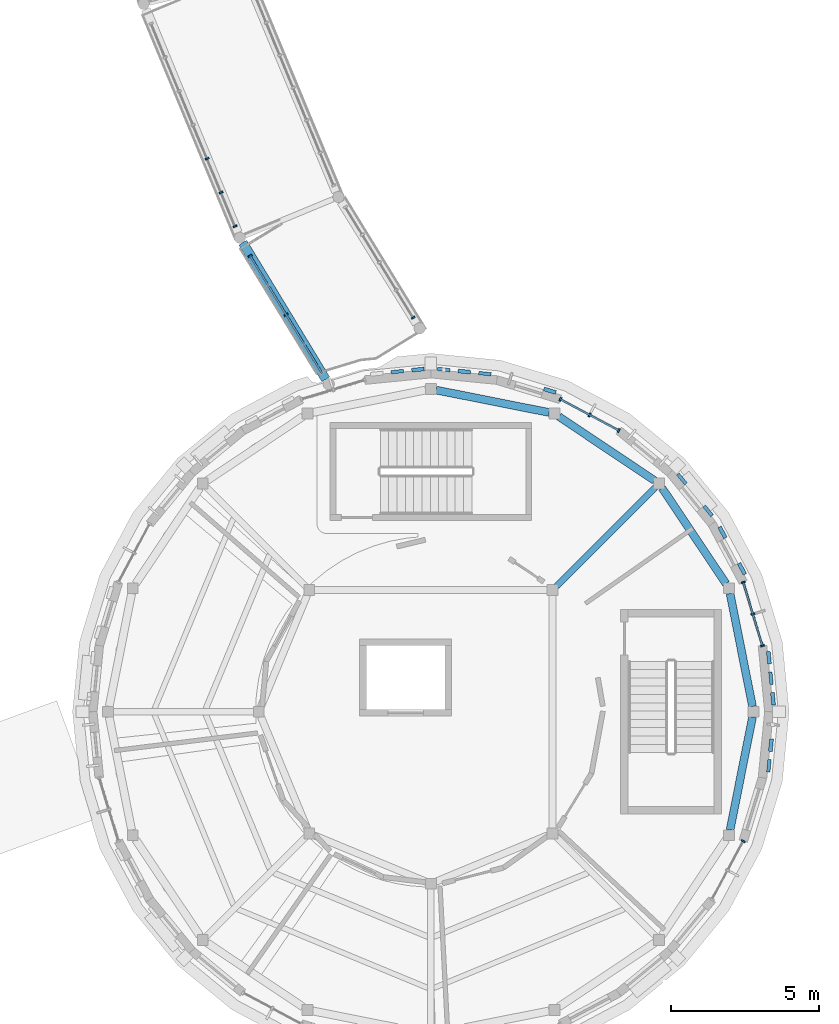
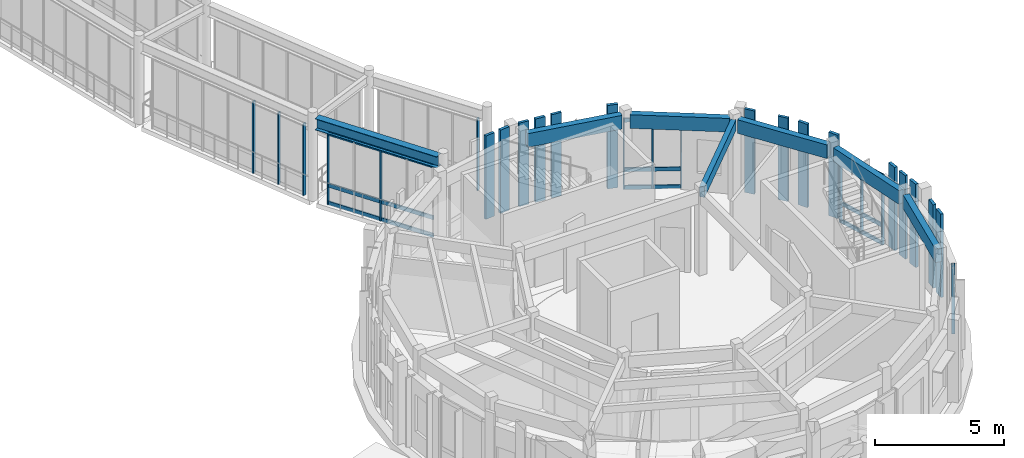
# One storey, part 24 of 80: 37 members, 7 beams, 6 elements without a shape of their own.
"""IFC4 building model written with IfcOpenShell, lengths in metres."""

from ifc_helpers import new_model, si_unit, direction, frame, origin, origin_2d, place, context, subcontext, project, spatial, rectangle, i_section, extrude, material, layer, layer_set, material_profile, profile_set, type_object, element, aggregate, save


model = new_model("IFC4")

# Units and contexts
model_context = context("Model", 3, precision=1e-05, world=origin(), true_north=direction((0.0, 1.0)))
body_context = subcontext(model_context, "Body", "Model", "MODEL_VIEW")
ifc_project = project(units=[si_unit("LENGTHUNIT", "METRE"), si_unit("AREAUNIT", "SQUARE_METRE"), si_unit("VOLUMEUNIT", "CUBIC_METRE"), si_unit("PLANEANGLEUNIT", "RADIAN"), si_unit("MASSUNIT", "GRAM", prefix="KILO")], contexts=[model_context])

# Site, building, storey
site_placement = place(None, origin())
site = spatial("IfcSite", under=ifc_project, at=site_placement, CompositionType="ELEMENT")
building_placement = place(site_placement, origin())
building = spatial("IfcBuilding", under=site, at=building_placement, Name="Aldenvaro Health Centre", CompositionType="ELEMENT")
storey_placement = place(building_placement, frame((0.0, 0.0, 4.550048828125)))
storey = spatial("IfcBuildingStorey", under=building, at=storey_placement, Name="L01", CompositionType="ELEMENT", Elevation=4.550048828125)

# Beams
ifc_material_1 = material(Name="Glulam GL28h", Category="wood")
ifc_material_profile_1 = material_profile(ifc_material_1, rectangle(XDim=0.215087890625, YDim=0.493896484375, at=origin_2d()), Name="GL 215x494", Category="wood")
ifc_profile_set_1 = profile_set([ifc_material_profile_1], Name="Glulam GL28h")
beam_type_1 = type_object("IfcBeamType", Name="BM-GL-494", PredefinedType="BEAM", material=ifc_profile_set_1)
beam_1_placement = place(storey_placement, frame((158.72998046875, 22.72998046875, 3.7080078125), z_axis=(0.707106781187, 0.707106781187, 0.0), x_axis=(-0.707106781187, 0.707106781187, 0.0)))
element("IfcBeam", 1, at=beam_1_placement, inside=storey, type_object=beam_type_1, Name="D6 L01 radial beam 01", PredefinedType="BEAM", context=body_context, shape_type="SweptSolid", body=[
    extrude(rectangle(XDim=0.215087890625, YDim=0.493896484375, at=origin_2d()), origin(), (0.0, 0.0, 1.0), 4.715087890625),
])
ifc_material_profile_2 = material_profile(ifc_material_1, rectangle(XDim=0.264892578125, YDim=0.64599609375, at=origin_2d()), Name="GL 265x646", Category="wood")
ifc_profile_set_2 = profile_set([ifc_material_profile_2], Name="Glulam GL28h")
beam_type_2 = type_object("IfcBeamType", Name="BM-GL-646", PredefinedType="SPANDREL", material=ifc_profile_set_2)
beam_2_placement = place(storey_placement, frame((165.343994140625, 18.678955078125, 3.6318359375), z_axis=(-0.19484558566, 0.98083392975, 0.0), x_axis=(-0.98083392975, -0.19484558566, 0.0)))
element("IfcBeam", 2, at=beam_2_placement, inside=storey, type_object=beam_type_2, Name="D6 L01 perimeter spandrel 01", PredefinedType="SPANDREL", context=body_context, shape_type="SweptSolid", body=[
    extrude(rectangle(XDim=0.264892578125, YDim=0.64599609375, at=origin_2d()), origin(), (0.0, 0.0, 1.0), 3.880615234375),
])
for number, where, z_axis, x_axis, name in (
    (3, (164.450927734375, 22.81591796875, 3.6318359375), (-0.55593386509, 0.831226526072, 0.0), (-0.831226526072, -0.55593386509, 0.0), "D6 L01 perimeter spandrel 02"),
    (4, (162.041015625, 26.2939453125, 3.6318359375), (-0.831226526072, 0.55593386509, 0.0), (-0.55593386509, -0.831226526072, 0.0), "D6 L01 perimeter spandrel 03"),
):
    element("IfcBeam", number, at=place(storey_placement, frame(where, z_axis=z_axis, x_axis=x_axis)), inside=storey, type_object=beam_type_2, Name=name, PredefinedType="SPANDREL", context=body_context, shape_type="SweptSolid", body=[
        extrude(rectangle(XDim=0.264892578125, YDim=0.64599609375, at=origin_2d()), origin(), (0.0, 0.0, 1.0), 3.8798828125),
    ])
for number, where, z_axis, x_axis, name in (
    (5, (158.485107421875, 28.587890625, 3.6318359375), (-0.98083392975, 0.19484558566, 0.0), (-0.19484558566, -0.98083392975, 0.0), "D6 L01 perimeter spandrel 04"),
    (6, (164.587890625, 14.514892578125, 3.6318359375), (0.19484558566, 0.98083392975, 0.0), (-0.98083392975, 0.19484558566, 0.0), "D6 L01 perimeter spandrel 16"),
):
    element("IfcBeam", number, at=place(storey_placement, frame(where, z_axis=z_axis, x_axis=x_axis)), inside=storey, type_object=beam_type_2, Name=name, PredefinedType="SPANDREL", context=body_context, shape_type="SweptSolid", body=[
        extrude(rectangle(XDim=0.264892578125, YDim=0.64599609375, at=origin_2d()), origin(), (0.0, 0.0, 1.0), 3.880615234375),
    ])
ifc_material_2 = material(Name="Steel ASTM A992 Grade 50", Category="steel")
ifc_material_profile_3 = material_profile(ifc_material_2, i_section(OverallWidth=0.31201171875, OverallDepth=0.54296875, WebThickness=0.0126953125, FlangeThickness=0.020263671875, at=origin_2d()), Name="W21X101", Category="steel")
ifc_profile_set_3 = profile_set([ifc_material_profile_3], Name="Steel ASTM A992 Grade 50")
beam_type_3 = type_object("IfcBeamType", Name="BM-ST-W21E", PredefinedType="BEAM", material=ifc_profile_set_3)
beam_3_placement = place(storey_placement, frame((148.157958984375, 34.31396484375, 3.678955078125), z_axis=(0.519169550557, -0.854671268836, 0.0), x_axis=(0.854671268836, 0.519169550557, 0.0)))
element("IfcBeam", 7, at=beam_3_placement, inside=storey, type_object=beam_type_3, Name="East Curved Garden Colonnade Arc 8 L01 girder R-1", PredefinedType="BEAM", context=body_context, shape_type="SweptSolid", body=[
    extrude(i_section(OverallWidth=0.31201171875, OverallDepth=0.54296875, WebThickness=0.0126953125, FlangeThickness=0.020263671875, at=origin_2d()), origin(), (0.0, 0.0, 1.0), 5.391357421875),
])

# Curtain wall, member
ifc_material_3 = material(Name="Anodised Aluminium 6063-T6", Category="aluminium")
ifc_layer_1 = layer(ifc_material_3, 0.195068359375, Name="Anodised Aluminium 6063-T6", Category="aluminium")
ifc_layer_set_1 = layer_set([ifc_layer_1], Name="Anodised Aluminium 6063-T6")
curtain_wall_type_1 = type_object("IfcCurtainWallType", Name="CW-CLN-02", PredefinedType="NOTDEFINED", material=ifc_layer_set_1)
curtain_wall_1_placement = place(storey_placement, origin())
curtain_wall_1 = element("IfcCurtainWall", 8, at=curtain_wall_1_placement, inside=storey, type_object=curtain_wall_type_1, Name="D6 L01 curtain wall bay 03", PredefinedType="NOTDEFINED")
ifc_material_profile_4 = material_profile(ifc_material_3, rectangle(XDim=0.06005859375, YDim=0.135009765625, at=origin_2d()), Name="ALU 60x135", Category="aluminium")
ifc_profile_set_4 = profile_set([ifc_material_profile_4], Name="Anodised Aluminium 6063-T6")
member_type_1 = type_object("IfcMemberType", Name="CWM-150", PredefinedType="MULLION", material=ifc_profile_set_4)
member_1_placement = place(storey_placement, frame((165.031982421875, 14.136962890625, 0.0), z_axis=(0.0, 0.0, 1.0), x_axis=(-0.471215232797, -0.882018256263, 0.0)))
member_1 = element("IfcMember", 9, at=member_1_placement, type_object=member_type_1, Name="D6 L01 curtain wall bay 03 mullion 1", PredefinedType="MULLION", context=body_context, shape_type="SweptSolid", body=[
    extrude(rectangle(XDim=0.06005859375, YDim=0.135009765625, at=origin_2d()), origin(), (0.0, 0.0, 1.0), 3.308837890625),
])
aggregate(curtain_wall_1, [member_1])

# Curtain wall, members
curtain_wall_2_placement = place(storey_placement, origin())
curtain_wall_2 = element("IfcCurtainWall", 10, at=curtain_wall_2_placement, inside=storey, type_object=curtain_wall_type_1, Name="D6 L01 curtain wall bay 27", PredefinedType="NOTDEFINED")
member_2_placement = place(storey_placement, frame((158.863037109375, 29.031982421875, 0.0), z_axis=(0.0, 0.0, 1.0), x_axis=(0.882018256263, -0.471215232797, 0.0)))
member_2 = element("IfcMember", 11, at=member_2_placement, type_object=member_type_1, Name="D6 L01 curtain wall bay 27 mullion 1", PredefinedType="MULLION", context=body_context, shape_type="SweptSolid", body=[
    extrude(rectangle(XDim=0.06005859375, YDim=0.135009765625, at=origin_2d()), origin(), (0.0, 0.0, 1.0), 3.308837890625),
])
member_3_placement = place(storey_placement, frame((159.84912109375, 28.5048828125, 0.0), z_axis=(0.0, 0.0, 1.0), x_axis=(0.882018256263, -0.471215232797, 0.0)))
member_3 = element("IfcMember", 12, at=member_3_placement, type_object=member_type_1, Name="D6 L01 curtain wall bay 27 mullion 2", PredefinedType="MULLION", context=body_context, shape_type="SweptSolid", body=[
    extrude(rectangle(XDim=0.06005859375, YDim=0.135009765625, at=origin_2d()), origin(), (0.0, 0.0, 1.0), 3.308837890625),
])
member_4_placement = place(storey_placement, frame((160.833984375, 27.97900390625, 0.0), z_axis=(0.0, 0.0, 1.0), x_axis=(0.882018256263, -0.471215232797, 0.0)))
member_4 = element("IfcMember", 13, at=member_4_placement, type_object=member_type_1, Name="D6 L01 curtain wall bay 27 mullion 3", PredefinedType="MULLION", context=body_context, shape_type="SweptSolid", body=[
    extrude(rectangle(XDim=0.06005859375, YDim=0.135009765625, at=origin_2d()), origin(), (0.0, 0.0, 1.0), 3.308837890625),
])

curtain_wall_3_placement = place(storey_placement, origin())
curtain_wall_3 = element("IfcCurtainWall", 14, at=curtain_wall_3_placement, inside=storey, type_object=curtain_wall_type_1, Name="D6 L01 curtain wall bay 31", PredefinedType="NOTDEFINED")
member_5_placement = place(storey_placement, frame((165.031982421875, 22.863037109375, 0.0), z_axis=(0.0, 0.0, 1.0), x_axis=(0.290342622208, -0.956922756407, 0.0)))
member_5 = element("IfcMember", 15, at=member_5_placement, type_object=member_type_1, Name="D6 L01 curtain wall bay 31 mullion 1", PredefinedType="MULLION", context=body_context, shape_type="SweptSolid", body=[
    extrude(rectangle(XDim=0.06005859375, YDim=0.135009765625, at=origin_2d()), origin(), (0.0, 0.0, 1.0), 3.308837890625),
])
member_6_placement = place(storey_placement, frame((165.35693359375, 21.7939453125, 0.0), z_axis=(0.0, 0.0, 1.0), x_axis=(0.290342622208, -0.956922756407, 0.0)))
member_6 = element("IfcMember", 16, at=member_6_placement, type_object=member_type_1, Name="D6 L01 curtain wall bay 31 mullion 2", PredefinedType="MULLION", context=body_context, shape_type="SweptSolid", body=[
    extrude(rectangle(XDim=0.06005859375, YDim=0.135009765625, at=origin_2d()), origin(), (0.0, 0.0, 1.0), 3.308837890625),
])
member_7_placement = place(storey_placement, frame((165.680908203125, 20.72412109375, 0.0), z_axis=(0.0, 0.0, 1.0), x_axis=(0.290342622208, -0.956922756407, 0.0)))
member_7 = element("IfcMember", 17, at=member_7_placement, type_object=member_type_1, Name="D6 L01 curtain wall bay 31 mullion 3", PredefinedType="MULLION", context=body_context, shape_type="SweptSolid", body=[
    extrude(rectangle(XDim=0.06005859375, YDim=0.135009765625, at=origin_2d()), origin(), (0.0, 0.0, 1.0), 3.308837890625),
])

ifc_layer_2 = layer(ifc_material_3, 0.2099609375, Name="Anodised Aluminium 6063-T6", Category="aluminium")
ifc_layer_set_2 = layer_set([ifc_layer_2], Name="Anodised Aluminium 6063-T6")
curtain_wall_type_2 = type_object("IfcCurtainWallType", Name="CW-BRG-03", PredefinedType="NOTDEFINED", material=ifc_layer_set_2)
curtain_wall_4_placement = place(storey_placement, origin())
curtain_wall_4 = element("IfcCurtainWall", 18, at=curtain_wall_4_placement, inside=storey, type_object=curtain_wall_type_2, Name="East Curved Garden Colonnade Arc 7 L01 glazed link wall R-1.1", PredefinedType="NOTDEFINED")
member_8_placement = place(storey_placement, frame((146.955078125, 37.14306640625, 0.0), z_axis=(0.0, 0.0, 1.0), x_axis=(0.382503002228, -0.923954248481, 0.0)))
member_8 = element("IfcMember", 19, at=member_8_placement, type_object=member_type_1, Name="East Curved Garden Colonnade Arc 7 L01 glazed link wall R-1.1 mullion 5", PredefinedType="MULLION", context=body_context, shape_type="SweptSolid", body=[
    extrude(rectangle(XDim=0.06005859375, YDim=0.135009765625, at=origin_2d()), origin(), (0.0, 0.0, 1.0), 3.409912109375),
])
member_9_placement = place(storey_placement, frame((147.426025390625, 36.0029296875, 0.0), z_axis=(0.0, 0.0, 1.0), x_axis=(0.382503002228, -0.923954248481, 0.0)))
member_9 = element("IfcMember", 20, at=member_9_placement, type_object=member_type_1, Name="East Curved Garden Colonnade Arc 7 L01 glazed link wall R-1.1 mullion 6", PredefinedType="MULLION", context=body_context, shape_type="SweptSolid", body=[
    extrude(rectangle(XDim=0.06005859375, YDim=0.135009765625, at=origin_2d()), origin(), (0.0, 0.0, 1.0), 3.409912109375),
])
member_10_placement = place(storey_placement, frame((147.89794921875, 34.864013671875, 0.0), z_axis=(0.0, 0.0, 1.0), x_axis=(0.382503002228, -0.923954248481, 0.0)))
member_10 = element("IfcMember", 21, at=member_10_placement, type_object=member_type_1, Name="East Curved Garden Colonnade Arc 7 L01 glazed link wall R-1.1 mullion 7", PredefinedType="MULLION", context=body_context, shape_type="SweptSolid", body=[
    extrude(rectangle(XDim=0.06005859375, YDim=0.135009765625, at=origin_2d()), origin(), (0.0, 0.0, 1.0), 3.409912109375),
])
aggregate(curtain_wall_4, [member_8, member_9, member_10])

# Curtain wall, member
curtain_wall_5_placement = place(storey_placement, origin())
curtain_wall_5 = element("IfcCurtainWall", 22, at=curtain_wall_5_placement, inside=storey, type_object=curtain_wall_type_2, Name="East Curved Garden Colonnade Arc 8 L01 glazed link wall L-1.1", PredefinedType="NOTDEFINED")
member_11_placement = place(storey_placement, frame((153.906005859375, 31.783935546875, 0.0), z_axis=(0.0, 0.0, 1.0), x_axis=(0.522567413628, -0.852597969863, 0.0)))
member_11 = element("IfcMember", 23, at=member_11_placement, type_object=member_type_1, Name="East Curved Garden Colonnade Arc 8 L01 glazed link wall L-1.1 mullion 5", PredefinedType="MULLION", context=body_context, shape_type="SweptSolid", body=[
    extrude(rectangle(XDim=0.06005859375, YDim=0.135009765625, at=origin_2d()), origin(), (0.0, 0.0, 1.0), 3.409912109375),
])
aggregate(curtain_wall_5, [member_11])

# Curtain wall, members
curtain_wall_6_placement = place(storey_placement, origin())
curtain_wall_6 = element("IfcCurtainWall", 24, at=curtain_wall_6_placement, inside=storey, type_object=curtain_wall_type_2, Name="East Curved Garden Colonnade Arc 8 L01 glazed link wall R-1.1", PredefinedType="NOTDEFINED")
member_12_placement = place(storey_placement, frame((148.406982421875, 33.865966796875, 0.0), z_axis=(0.0, 0.0, 1.0), x_axis=(0.522476308425, -0.852653802627, 0.0)))
member_12 = element("IfcMember", 25, at=member_12_placement, type_object=member_type_1, Name="East Curved Garden Colonnade Arc 8 L01 glazed link wall R-1.1 mullion 1", PredefinedType="MULLION", context=body_context, shape_type="SweptSolid", body=[
    extrude(rectangle(XDim=0.06005859375, YDim=0.135009765625, at=origin_2d()), origin(), (0.0, 0.0, 1.0), 3.409912109375),
])
member_13_placement = place(storey_placement, frame((149.6220703125, 31.884033203125, 0.0), z_axis=(0.0, 0.0, 1.0), x_axis=(0.522476308425, -0.852653802627, 0.0)))
member_13 = element("IfcMember", 26, at=member_13_placement, type_object=member_type_1, Name="East Curved Garden Colonnade Arc 8 L01 glazed link wall R-1.1 mullion 3", PredefinedType="MULLION", context=body_context, shape_type="SweptSolid", body=[
    extrude(rectangle(XDim=0.06005859375, YDim=0.135009765625, at=origin_2d()), origin(), (0.0, 0.0, 1.0), 3.409912109375),
])

# Member
ifc_material_profile_5 = material_profile(ifc_material_3, rectangle(XDim=0.06494140625, YDim=0.179931640625, at=origin_2d()), Name="ALU 65x180", Category="aluminium")
ifc_profile_set_5 = profile_set([ifc_material_profile_5], Name="Anodised Aluminium 6063-T6")
member_type_2 = type_object("IfcMemberType", Name="CWT-150", PredefinedType="USERDEFINED", material=ifc_profile_set_5)
member_14_placement = place(storey_placement, frame((158.863037109375, 29.031982421875, 0.06005859375), z_axis=(0.882017012185, -0.471217561446, 0.0), x_axis=(0.471217561446, 0.882017012185, 0.0)))
member_14 = element("IfcMember", 27, at=member_14_placement, type_object=member_type_2, Name="D6 L01 curtain wall bay 27 transom 1", ObjectType="TRANSOM", PredefinedType="USERDEFINED", context=body_context, shape_type="SweptSolid", body=[
    extrude(rectangle(XDim=0.06494140625, YDim=0.179931640625, at=origin_2d()), origin(), (0.0, 0.0, 1.0), 2.234619140625),
])

member_15_placement = place(storey_placement, frame((158.863037109375, 29.031982421875, 0.89990234375), z_axis=(0.882017012185, -0.471217561446, 0.0), x_axis=(0.471217561446, 0.882017012185, 0.0)))
member_15 = element("IfcMember", 28, at=member_15_placement, type_object=member_type_2, Name="D6 L01 curtain wall bay 27 transom 2", ObjectType="TRANSOM", PredefinedType="USERDEFINED", context=body_context, shape_type="SweptSolid", body=[
    extrude(rectangle(XDim=0.06494140625, YDim=0.179931640625, at=origin_2d()), origin(), (0.0, 0.0, 1.0), 2.234619140625),
])

member_16_placement = place(storey_placement, frame((158.863037109375, 29.031982421875, 3.2490234375), z_axis=(0.882017012185, -0.471217561446, 0.0), x_axis=(0.471217561446, 0.882017012185, 0.0)))
member_16 = element("IfcMember", 29, at=member_16_placement, type_object=member_type_2, Name="D6 L01 curtain wall bay 27 transom 3", ObjectType="TRANSOM", PredefinedType="USERDEFINED", context=body_context, shape_type="SweptSolid", body=[
    extrude(rectangle(XDim=0.06494140625, YDim=0.179931640625, at=origin_2d()), origin(), (0.0, 0.0, 1.0), 2.234619140625),
])

aggregate(curtain_wall_2, [member_2, member_3, member_4, member_14, member_15, member_16])

member_17_placement = place(storey_placement, frame((165.031982421875, 22.863037109375, 0.06005859375), z_axis=(0.290322655883, -0.956928814218, 0.0), x_axis=(0.956928814218, 0.290322655883, 0.0)))
member_17 = element("IfcMember", 30, at=member_17_placement, type_object=member_type_2, Name="D6 L01 curtain wall bay 31 transom 1", ObjectType="TRANSOM", PredefinedType="USERDEFINED", context=body_context, shape_type="SweptSolid", body=[
    extrude(rectangle(XDim=0.06494140625, YDim=0.179931640625, at=origin_2d()), origin(), (0.0, 0.0, 1.0), 2.235107421875),
])

member_18_placement = place(storey_placement, frame((165.031982421875, 22.863037109375, 0.89990234375), z_axis=(0.290322655883, -0.956928814218, 0.0), x_axis=(0.956928814218, 0.290322655883, 0.0)))
member_18 = element("IfcMember", 31, at=member_18_placement, type_object=member_type_2, Name="D6 L01 curtain wall bay 31 transom 2", ObjectType="TRANSOM", PredefinedType="USERDEFINED", context=body_context, shape_type="SweptSolid", body=[
    extrude(rectangle(XDim=0.06494140625, YDim=0.179931640625, at=origin_2d()), origin(), (0.0, 0.0, 1.0), 2.235107421875),
])

member_19_placement = place(storey_placement, frame((165.031982421875, 22.863037109375, 3.2490234375), z_axis=(0.290322655883, -0.956928814218, 0.0), x_axis=(0.956928814218, 0.290322655883, 0.0)))
member_19 = element("IfcMember", 32, at=member_19_placement, type_object=member_type_2, Name="D6 L01 curtain wall bay 31 transom 3", ObjectType="TRANSOM", PredefinedType="USERDEFINED", context=body_context, shape_type="SweptSolid", body=[
    extrude(rectangle(XDim=0.06494140625, YDim=0.179931640625, at=origin_2d()), origin(), (0.0, 0.0, 1.0), 2.235107421875),
])

aggregate(curtain_wall_3, [member_5, member_6, member_7, member_17, member_18, member_19])

member_20_placement = place(storey_placement, frame((148.406982421875, 33.865966796875, 0.06005859375), z_axis=(0.522482010387, -0.852650308639, 0.0), x_axis=(0.852650308639, 0.522482010387, 0.0)))
member_20 = element("IfcMember", 33, at=member_20_placement, type_object=member_type_2, Name="East Curved Garden Colonnade Arc 8 L01 glazed link wall R-1.1 transom 1", ObjectType="TRANSOM", PredefinedType="USERDEFINED", context=body_context, shape_type="SweptSolid", body=[
    extrude(rectangle(XDim=0.06494140625, YDim=0.179931640625, at=origin_2d()), origin(), (0.0, 0.0, 1.0), 4.64892578125),
])

member_21_placement = place(storey_placement, frame((148.406982421875, 33.865966796875, 0.89990234375), z_axis=(0.522482010387, -0.852650308639, 0.0), x_axis=(0.852650308639, 0.522482010387, 0.0)))
member_21 = element("IfcMember", 34, at=member_21_placement, type_object=member_type_2, Name="East Curved Garden Colonnade Arc 8 L01 glazed link wall R-1.1 transom 2", ObjectType="TRANSOM", PredefinedType="USERDEFINED", context=body_context, shape_type="SweptSolid", body=[
    extrude(rectangle(XDim=0.06494140625, YDim=0.179931640625, at=origin_2d()), origin(), (0.0, 0.0, 1.0), 4.64892578125),
])

member_22_placement = place(storey_placement, frame((148.406982421875, 33.865966796875, 3.349853515625), z_axis=(0.522482010387, -0.852650308639, 0.0), x_axis=(0.852650308639, 0.522482010387, 0.0)))
member_22 = element("IfcMember", 35, at=member_22_placement, type_object=member_type_2, Name="East Curved Garden Colonnade Arc 8 L01 glazed link wall R-1.1 transom 3", ObjectType="TRANSOM", PredefinedType="USERDEFINED", context=body_context, shape_type="SweptSolid", body=[
    extrude(rectangle(XDim=0.06494140625, YDim=0.179931640625, at=origin_2d()), origin(), (0.0, 0.0, 1.0), 4.64892578125),
])

aggregate(curtain_wall_6, [member_12, member_13, member_20, member_21, member_22])

# Members
ifc_material_profile_6 = material_profile(ifc_material_1, rectangle(XDim=0.114990234375, YDim=0.419921875, at=origin_2d()), Name="GL 115x420", Category="wood")
ifc_profile_set_6 = profile_set([ifc_material_profile_6], Name="Glulam GL28h")
member_type_3 = type_object("IfcMemberType", Name="MEM-SLT-420A", PredefinedType="POST", material=ifc_profile_set_6)
for number, where, z_axis, x_axis, name in (
    (36, (165.89599609375, 16.677001953125, 0.0), (0.0, 0.0, 1.0), (0.995186685493, -0.097997250052, 0.0), "D6 L01 vertical timber slat 1.3"),
    (37, (153.37109375, 29.965087890625, 0.0), (0.0, 0.0, 1.0), (-0.097997250052, 0.995186685493, 0.0), "D6 L01 vertical timber slat 24.2"),
    (38, (154.93505859375, 30.032958984375, 0.0), (0.0, 0.0, 1.0), (0.097997250052, 0.995186685493, 0.0), "D6 L01 vertical timber slat 25.1"),
    (39, (156.322998046875, 29.89599609375, 0.0), (0.0, 0.0, 1.0), (0.097997250052, 0.995186685493, 0.0), "D6 L01 vertical timber slat 25.3"),
    (40, (162.962890625, 26.346923828125, 0.0), (0.0, 0.0, 1.0), (0.772859503767, 0.634577172169, 0.0), "D6 L01 vertical timber slat 29.1"),
    (41, (163.847900390625, 25.27001953125, 0.0), (0.0, 0.0, 1.0), (0.772859503767, 0.634577172169, 0.0), "D6 L01 vertical timber slat 29.3"),
    (42, (165.965087890625, 19.62890625, 0.0), (0.0, 0.0, 1.0), (0.995186685493, 0.097997250052, 0.0), "D6 L01 vertical timber slat 32.2"),
):
    element("IfcMember", number, at=place(storey_placement, frame(where, z_axis=z_axis, x_axis=x_axis)), inside=storey, type_object=member_type_3, Name=name, PredefinedType="POST", context=body_context, shape_type="SweptSolid", body=[
        extrude(rectangle(XDim=0.114990234375, YDim=0.419921875, at=origin_2d()), origin(), (0.0, 0.0, 1.0), 3.954833984375),
    ])
ifc_material_profile_7 = material_profile(ifc_material_1, rectangle(XDim=0.1298828125, YDim=0.419921875, at=origin_2d()), Name="GL 130x420", Category="wood")
ifc_profile_set_7 = profile_set([ifc_material_profile_7], Name="Glulam GL28h")
member_type_4 = type_object("IfcMemberType", Name="MEM-SLT-420B", PredefinedType="POST", material=ifc_profile_set_7)
for number, where, z_axis, x_axis, name in (
    (43, (165.965087890625, 17.37109375, 0.0), (0.0, 0.0, 1.0), (0.995186685493, -0.097997250052, 0.0), "D6 L01 vertical timber slat 1.2"),
    (44, (154.06494140625, 30.032958984375, 0.0), (0.0, 0.0, 1.0), (-0.097997250052, 0.995186685493, 0.0), "D6 L01 vertical timber slat 24.3"),
    (45, (155.62890625, 29.965087890625, 0.0), (0.0, 0.0, 1.0), (0.097997250052, 0.995186685493, 0.0), "D6 L01 vertical timber slat 25.2"),
    (46, (158.511962890625, 29.321044921875, 0.0), (0.0, 0.0, 1.0), (0.290342622208, 0.956922756407, 0.0), "D6 L01 vertical timber slat 26.3"),
    (47, (164.3310546875, 24.5458984375, 0.0), (0.0, 0.0, 1.0), (0.882018256263, 0.471215232797, 0.0), "D6 L01 vertical timber slat 30.1"),
    (48, (164.988037109375, 23.31591796875, 0.0), (0.0, 0.0, 1.0), (0.882018256263, 0.471215232797, 0.0), "D6 L01 vertical timber slat 30.3"),
    (49, (165.89599609375, 20.322998046875, 0.0), (0.0, 0.0, 1.0), (0.995186685493, 0.097997250052, 0.0), "D6 L01 vertical timber slat 32.1"),
    (50, (166.032958984375, 18.93505859375, 0.0), (0.0, 0.0, 1.0), (0.995186685493, 0.097997250052, 0.0), "D6 L01 vertical timber slat 32.3"),
):
    element("IfcMember", number, at=place(storey_placement, frame(where, z_axis=z_axis, x_axis=x_axis)), inside=storey, type_object=member_type_4, Name=name, PredefinedType="POST", context=body_context, shape_type="SweptSolid", body=[
        extrude(rectangle(XDim=0.1298828125, YDim=0.419921875, at=origin_2d()), origin(), (0.0, 0.0, 1.0), 3.954833984375),
    ])

save(model, "model.ifc")
